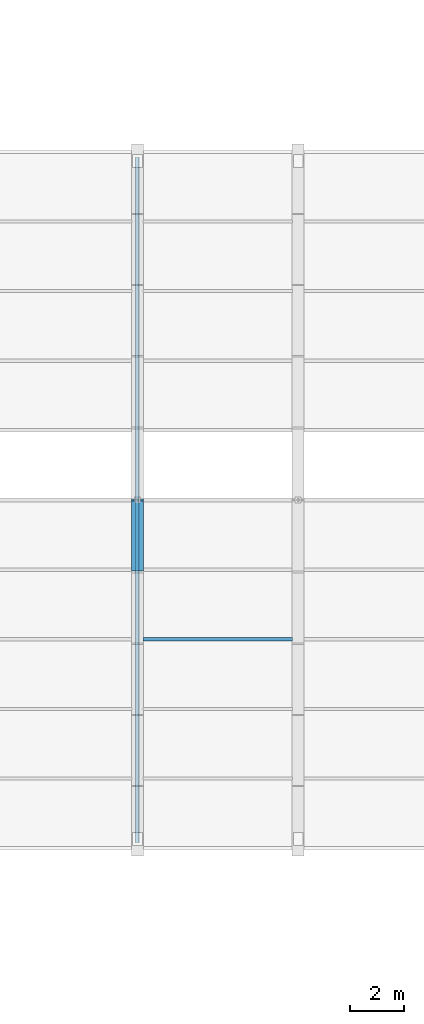
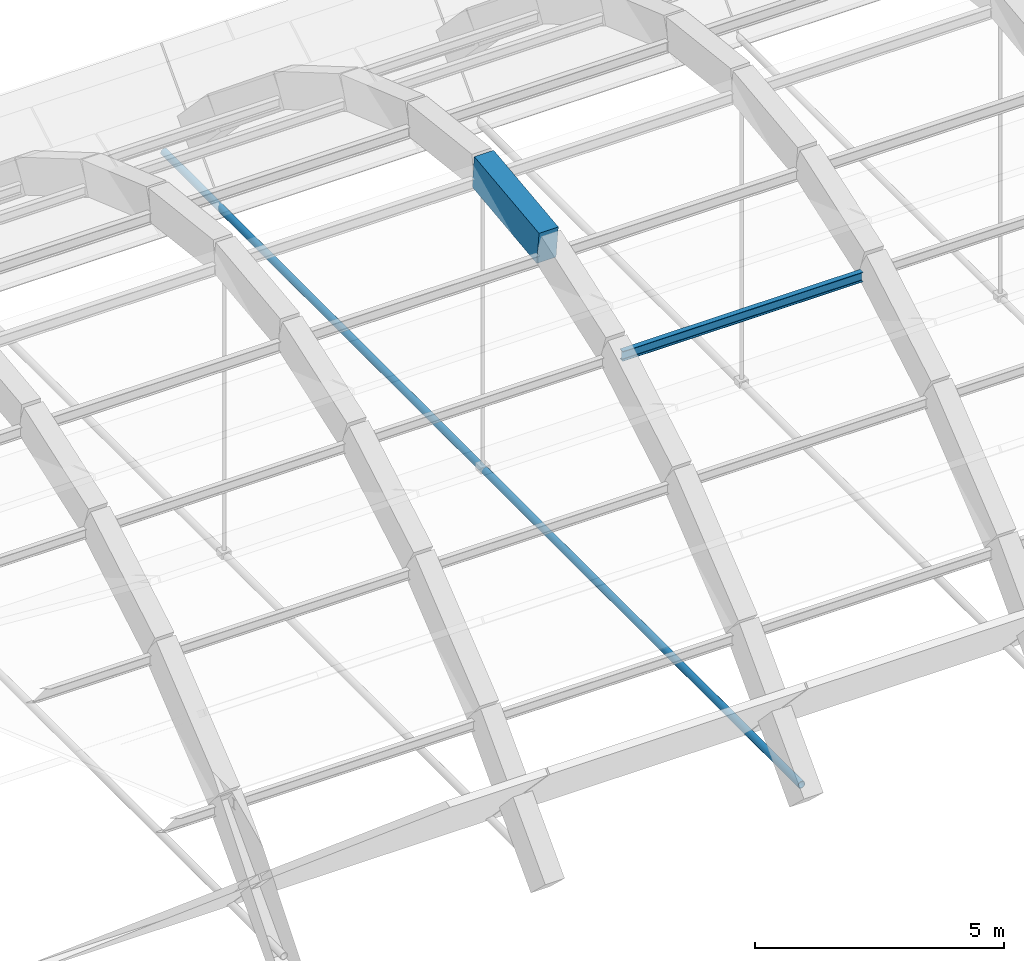
# One storey, part 29 of 123: 2 beams, 1 member.
"""IFC4 building model written with IfcOpenShell, lengths in metres."""

from ifc_helpers import new_model, si_unit, direction, frame, origin, origin_2d, place, context, subcontext, project, spatial, rectangle, hollow_circle, i_section, extrude, material, material_profile, profile_set, type_object, element, save


model = new_model("IFC4")

# Units and contexts
model_context = context("Model", 3, precision=1e-05, world=origin(), true_north=direction((0.0, 1.0)))
body_context = subcontext(model_context, "Body", "Model", "MODEL_VIEW")
ifc_project = project(units=[si_unit("LENGTHUNIT", "METRE"), si_unit("AREAUNIT", "SQUARE_METRE"), si_unit("VOLUMEUNIT", "CUBIC_METRE"), si_unit("PLANEANGLEUNIT", "RADIAN"), si_unit("MASSUNIT", "GRAM", prefix="KILO"), si_unit("POWERUNIT", "WATT"), si_unit("THERMODYNAMICTEMPERATUREUNIT", "KELVIN")], contexts=[model_context])

# Site, building, storey
site_placement = place(None, origin())
site = spatial("IfcSite", under=ifc_project, at=site_placement, CompositionType="ELEMENT")
building_placement = place(site_placement, origin())
building = spatial("IfcBuilding", under=site, at=building_placement, Name="Ruvembo Vaulted Housing Court", CompositionType="ELEMENT")
storey_placement = place(building_placement, frame((0.0, 0.0, 7.699951171875)))
storey = spatial("IfcBuildingStorey", under=building, at=storey_placement, Name="L02", CompositionType="ELEMENT", Elevation=7.699951171875)

# Beams
ifc_material_1 = material(Name="Concrete C35/45", Category="concrete")
ifc_material_profile_1 = material_profile(ifc_material_1, rectangle(XDim=0.449951171875, YDim=0.800048828125, at=origin_2d()), Name="RC 450x800")
ifc_profile_set_1 = profile_set([ifc_material_profile_1], Name="Concrete C35/45")
beam_type_1 = type_object("IfcBeamType", Name="AR-RC-450x800", PredefinedType="BEAM", material=ifc_profile_set_1)
beam_1_placement = place(storey_placement, frame((90.0, 52.39990234375, 5.796142578125), z_axis=(0.0, 0.993236276414, 0.116110719637), x_axis=(-1.0, 0.0, 0.0)))
element("IfcBeam", 1, at=beam_1_placement, inside=storey, type_object=beam_type_1, Name="Community Hall Parabolic Arch Rib AR-05 Seg 5", PredefinedType="BEAM", context=body_context, shape_type="SweptSolid", body=[
    extrude(rectangle(XDim=0.449951171875, YDim=0.800048828125, at=origin_2d()), origin(), (0.0, 0.0, 1.0), 2.617919921875),
])
ifc_material_2 = material(Name="Steel S355J2", Category="steel")
ifc_material_profile_2 = material_profile(ifc_material_2, i_section(OverallWidth=0.1201171875, OverallDepth=0.239990234375, WebThickness=0.006103515625, FlangeThickness=0.009765625, FilletRadius=0.014892578125, at=origin_2d()), Name="IPE 240")
ifc_profile_set_2 = profile_set([ifc_material_profile_2], Name="Steel S355J2")
beam_type_2 = type_object("IfcBeamType", Name="BM-ST-IPE240", PredefinedType="BEAM", material=ifc_profile_set_2)
beam_2_placement = place(storey_placement, frame((90.2099609375, 49.800048828125, 4.60400390625), z_axis=(1.0, 0.0, 0.0), x_axis=(0.0, 1.0, 0.0)))
element("IfcBeam", 2, at=beam_2_placement, inside=storey, type_object=beam_type_2, Name="Vault Bay 5 Steel Purlin K3", PredefinedType="BEAM", context=body_context, shape_type="SweptSolid", body=[
    extrude(i_section(OverallWidth=0.1201171875, OverallDepth=0.239990234375, WebThickness=0.006103515625, FlangeThickness=0.009765625, FilletRadius=0.014892578125, at=origin_2d()), origin(), (0.0, 0.0, 1.0), 5.580078125),
])

# Member
ifc_material_profile_3 = material_profile(ifc_material_2, hollow_circle(Radius=0.084228515625, WallThickness=0.010009765625, at=origin_2d()), Name="CHS 168.3x10")
ifc_profile_set_3 = profile_set([ifc_material_profile_3], Name="Steel S355J2")
member_type = type_object("IfcMemberType", Name="MEM-TIE-CHS168", PredefinedType="USERDEFINED", material=ifc_profile_set_3)
member_placement = place(storey_placement, frame((90.0, 42.199951171875, -1.25), z_axis=(0.0, 1.0, 0.0), x_axis=(-1.0, 0.0, 0.0)))
element("IfcMember", 3, at=member_placement, inside=storey, type_object=member_type, Name="Vault Springing Steel Tension Tie VT-05", ObjectType="TIE_ROD", PredefinedType="USERDEFINED", context=body_context, shape_type="SweptSolid", body=[
    extrude(hollow_circle(Radius=0.084228515625, WallThickness=0.010009765625, at=origin_2d()), origin(), (0.0, 0.0, 1.0), 25.60009765625),
])

save(model, "model.ifc")
